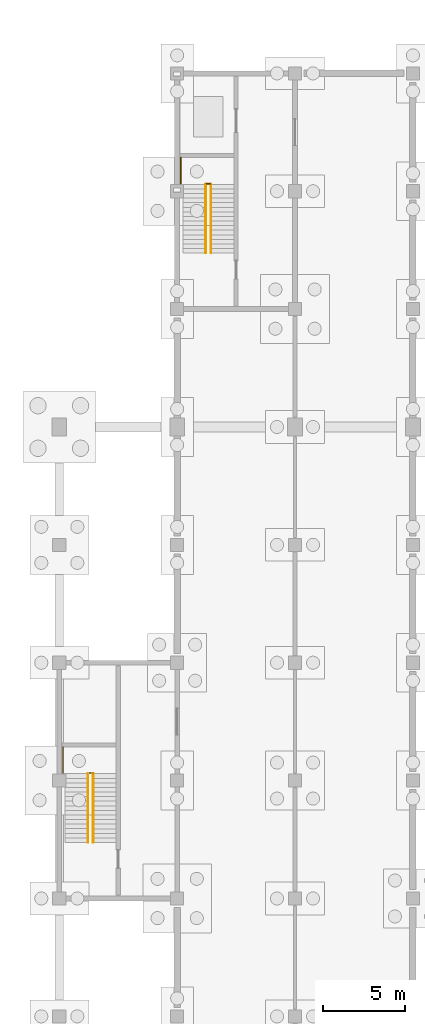
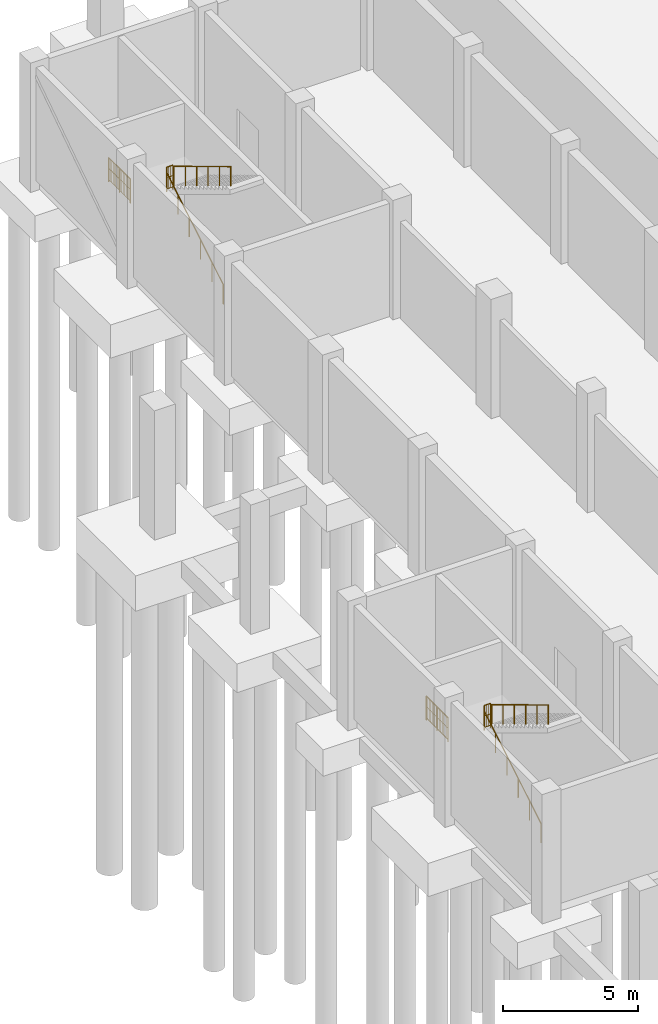
# One storey, part 31 of 35: 8 railings.
"""IFC4 building model written with IfcOpenShell, lengths in metres."""

import ifcopenshell
import ifcopenshell.guid

model = None  # the IFC model being written
_history = None  # IfcOwnerHistory: only IFC2X3 demands one
_inside = {}  # id of a spatial element -> (the spatial element, [elements in it])
_under = {}  # id of a project, library or spatial element -> (it, [spatial elements below it])
_declared = {}  # id of a project -> (the project, [libraries it declares])
_typed = {}  # id of a type object -> (the type object, [elements of that type])
_made_of = {}  # id of a material, layer set ... -> (it, [elements and type objects made of it])


def new_model(schema):
    """Start an empty IFC model of exactly this schema.

    Asked for "IFC4X3", IfcOpenShell would pick the latest addendum, in which some entities
    have other attributes; the version numbers below select the first issue.
    IFC2X3 requires an IfcOwnerHistory on every rooted entity: one is made here for all.
    """
    global model, _history
    if schema == "IFC4X3":
        model = ifcopenshell.file(schema_version=(4, 3, 0, 0))
    else:
        model = ifcopenshell.file(schema=schema)
    _inside.clear()
    _under.clear()
    _declared.clear()
    _typed.clear()
    _made_of.clear()
    _history = None
    if model.schema == "IFC2X3":
        org = make("IfcOrganization", Name="unknown")
        user = make(
            "IfcPersonAndOrganization",
            ThePerson=make("IfcPerson", FamilyName="unknown"),
            TheOrganization=org,
        )
        app = make(
            "IfcApplication",
            ApplicationDeveloper=org,
            Version="unknown",
            ApplicationFullName="unknown",
            ApplicationIdentifier="unknown",
        )
        _history = make(
            "IfcOwnerHistory",
            OwningUser=user,
            OwningApplication=app,
            ChangeAction="ADDED",
            CreationDate=0,
        )
    return model


def make(cls, **values):
    """One entity of the class cls with the attributes given. An attribute that is None is left unset."""
    return model.create_entity(
        cls, **{name: value for name, value in values.items() if value is not None}
    )


def rooted(cls, **values):
    """An entity with a GlobalId (a new one), such as an element, a storey or a relation."""
    return make(cls, GlobalId=ifcopenshell.guid.new(), OwnerHistory=_history, **values)


def si_unit(unit_type, name, prefix=None):
    """IfcSIUnit, for example si_unit("LENGTHUNIT", "METRE", prefix="MILLI")."""
    return make("IfcSIUnit", UnitType=unit_type, Prefix=prefix, Name=name)


def assignment(units):
    """IfcUnitAssignment: the units of a project."""
    return None if units is None else make("IfcUnitAssignment", Units=units)


def point(xyz):
    """IfcCartesianPoint."""
    return None if xyz is None else make("IfcCartesianPoint", Coordinates=xyz)


def direction(xyz):
    """IfcDirection."""
    return None if xyz is None else make("IfcDirection", DirectionRatios=xyz)


def frame(location, z_axis=None, x_axis=None):
    """IfcAxis2Placement3D, a coordinate frame: its origin and axes. An axis left out is left unset."""
    return make(
        "IfcAxis2Placement3D",
        Location=point(location),
        Axis=direction(z_axis),
        RefDirection=direction(x_axis),
    )


def frame_2d(location, x_axis=None):
    """IfcAxis2Placement2D, a coordinate frame in the plane: its origin and x axis."""
    return make(
        "IfcAxis2Placement2D", Location=point(location), RefDirection=direction(x_axis)
    )


def origin():
    """The frame at (0, 0, 0) with its axes left unset."""
    return frame((0.0, 0.0, 0.0))


def origin_2d():
    """The frame at (0, 0) in the plane with its x axis left unset."""
    return frame_2d((0.0, 0.0))


def place(relative_to, where):
    """IfcLocalPlacement: puts the frame where relative to a parent placement (None: the world)."""
    return make(
        "IfcLocalPlacement", PlacementRelTo=relative_to, RelativePlacement=where
    )


def context(
    kind, dimensions, precision=None, world=None, true_north=None, identifier=None
):
    """IfcGeometricRepresentationContext, for example the 3D "Model" context."""
    return make(
        "IfcGeometricRepresentationContext",
        ContextIdentifier=identifier,
        ContextType=kind,
        CoordinateSpaceDimension=dimensions,
        Precision=precision,
        WorldCoordinateSystem=world,
        TrueNorth=true_north,
    )


def subcontext(parent, identifier, kind, view, scale=None):
    """IfcGeometricRepresentationSubContext, for example "Body" below "Model"."""
    return make(
        "IfcGeometricRepresentationSubContext",
        ContextIdentifier=identifier,
        ContextType=kind,
        ParentContext=parent,
        TargetScale=scale,
        TargetView=view,
    )


def project(units=None, contexts=None):
    """IfcProject with its units and contexts."""
    return rooted(
        "IfcProject",
        Name="project",
        RepresentationContexts=contexts,
        UnitsInContext=assignment(units),
    )


def spatial(cls, under=None, at=None, **own):
    """A site, building, storey or space (cls), placed at a placement, below another one or the project."""
    s = rooted(cls, ObjectPlacement=at, **own)
    if under is not None:
        _under.setdefault(under.id(), (under, []))[1].append(s)
    return s


def profile(cls, at=None, kind="AREA", **sizes):
    """A parametric profile (cls). Its sizes go by their IFC names, for example OverallWidth=200.0."""
    return make(cls, ProfileType=kind, Position=at, **sizes)


def circle(**sizes):
    """IfcCircleProfileDef."""
    return profile("IfcCircleProfileDef", **sizes)


def extrude(swept, where, along, depth):
    """IfcExtrudedAreaSolid: the profile swept, set in the frame where, extruded along a direction by depth."""
    return make(
        "IfcExtrudedAreaSolid",
        SweptArea=swept,
        Position=where,
        ExtrudedDirection=direction(along),
        Depth=depth,
    )


def shape(context_of_items, identifier, shape_type, items):
    """IfcShapeRepresentation: the items that make up one representation, for example the "Body"."""
    return make(
        "IfcShapeRepresentation",
        ContextOfItems=context_of_items,
        RepresentationIdentifier=identifier,
        RepresentationType=shape_type,
        Items=items,
    )


def material(Name=None, Category=None):
    """IfcMaterial."""
    return make("IfcMaterial", Name=Name, Category=Category)


def made_of(thing, what):
    """Note that an element or type object is made of a material, layer set ...; save() writes the relation."""
    if what is not None:
        _made_of.setdefault(what.id(), (what, []))[1].append(thing)
    return thing


def type_object(cls, material=None, **own):
    """A type object (cls), such as IfcWallType, which elements share."""
    return made_of(rooted(cls, **own), material)


def element(
    cls,
    number,
    at=None,
    inside=None,
    cuts=None,
    type_object=None,
    material=None,
    context=None,
    identifier="Body",
    shape_type=None,
    held_by="IfcProductDefinitionShape",
    body=None,
    shapes=None,
    **own,
):
    """One element of the class cls, such as IfcWall. Its Tag is "e" and its number.

    at: its placement. inside: the storey or other place that contains it. cuts: it is an
    opening in that element (IfcRelVoidsElement). A single representation is given by context,
    identifier, shape_type and body (its items); several are given by shapes. held_by: the class
    of the entity that holds the representations. save() writes the other relations.
    """
    e = rooted(cls, Tag="e%d" % number, ObjectPlacement=at, **own)
    if body is not None:
        shapes = [shape(context, identifier, shape_type, body)]
    if shapes is not None:
        e.Representation = make(held_by, Representations=shapes)
    if inside is not None:
        _inside.setdefault(inside.id(), (inside, []))[1].append(e)
    if cuts is not None:
        rooted(
            "IfcRelVoidsElement", RelatingBuildingElement=cuts, RelatedOpeningElement=e
        )
    if type_object is not None:
        _typed.setdefault(type_object.id(), (type_object, []))[1].append(e)
    return made_of(e, material)


def aggregate(whole, parts):
    """IfcRelAggregates: a whole, such as a stair, and the parts it consists of."""
    return rooted("IfcRelAggregates", RelatingObject=whole, RelatedObjects=parts)


def save(model, path):
    """Write the relations noted so far, then the file.

    IfcRelAggregates (storeys below a building ...), IfcRelContainedInSpatialStructure (elements
    in a storey), IfcRelDefinesByType, IfcRelAssociatesMaterial and IfcRelDeclares: one each for
    every whole, place, type object, material and project.
    """
    for whole, parts in _under.values():
        aggregate(whole, parts)
    for where, things in _inside.values():
        rooted(
            "IfcRelContainedInSpatialStructure",
            RelatedElements=things,
            RelatingStructure=where,
        )
    for kind, things in _typed.values():
        rooted("IfcRelDefinesByType", RelatedObjects=things, RelatingType=kind)
    for what, things in _made_of.values():
        rooted("IfcRelAssociatesMaterial", RelatedObjects=things, RelatingMaterial=what)
    for by, libraries in _declared.values():
        rooted("IfcRelDeclares", RelatingContext=by, RelatedDefinitions=libraries)
    model.write(path)


model = new_model("IFC4")

# Units and contexts
model_context = context("Model", 3, precision=1e-05, world=origin(), true_north=direction((0.0, 1.0)))
body_context = subcontext(model_context, "Body", "Model", "MODEL_VIEW")
ifc_project = project(units=[si_unit("LENGTHUNIT", "METRE"), si_unit("AREAUNIT", "SQUARE_METRE"), si_unit("VOLUMEUNIT", "CUBIC_METRE"), si_unit("PLANEANGLEUNIT", "RADIAN"), si_unit("MASSUNIT", "GRAM", prefix="KILO")], contexts=[model_context])

# Site, building, storey
site_placement = place(None, origin())
site = spatial("IfcSite", under=ifc_project, at=site_placement, CompositionType="ELEMENT")
building_placement = place(site_placement, origin())
building = spatial("IfcBuilding", under=site, at=building_placement, Name="Vesperath Aquatics Centre", CompositionType="ELEMENT")
storey_placement = place(building_placement, frame((0.0, 0.0, -5.39990234375)))
storey = spatial("IfcBuildingStorey", under=building, at=storey_placement, Name="B1", CompositionType="ELEMENT", Elevation=-5.39990234375)

# Railings
ifc_material_1 = material(Name="Powder-coated galvanized steel safety guard", Category="steel")
railing_type_1 = type_object("IfcRailingType", Name="RL-GRD01", PredefinedType="GUARDRAIL", material=ifc_material_1)
railing_1_placement = place(storey_placement, frame((1.780029296875, 65.260009765625, 2.699951171875)))
element("IfcRailing", 1, at=railing_1_placement, inside=storey, type_object=railing_type_1, Name="Stair ST2 Half-Landing Slot Guard GR02 B1", PredefinedType="GUARDRAIL", context=body_context, shape_type="SweptSolid", body=[
    extrude(circle(Radius=0.02392578125, at=origin_2d()), frame((0.0, 0.0, 1.0859375), z_axis=(1.0, 0.0, 0.0), x_axis=(0.0, 1.0, 0.0)), (0.0, 0.0, 1.0), 0.260009765625),
    extrude(circle(Radius=0.01611328125, at=origin_2d()), frame((0.0, 0.0, 0.10009765625), z_axis=(1.0, 0.0, 0.0), x_axis=(0.0, 1.0, 0.0)), (0.0, 0.0, 1.0), 0.260009765625),
    extrude(circle(Radius=0.01611328125, at=origin_2d()), frame((0.0, 0.0, 0.610595703125), z_axis=(1.0, 0.0, 0.0), x_axis=(0.0, 1.0, 0.0)), (0.0, 0.0, 1.0), 0.260009765625),
    extrude(circle(Radius=0.009033203125, at=origin_2d()), frame((0.086669921875, 0.0, 0.10009765625)), (0.0, 0.0, 1.0), 0.9619140625),
    extrude(circle(Radius=0.009033203125, at=origin_2d()), frame((0.17333984375, 0.0, 0.10009765625)), (0.0, 0.0, 1.0), 0.9619140625),
    extrude(circle(Radius=0.02197265625, at=origin_2d()), origin(), (0.0, 0.0, 1.0), 1.0859375),
    extrude(circle(Radius=0.02197265625, at=origin_2d()), frame((0.260009765625, 0.0, 0.0)), (0.0, 0.0, 1.0), 1.0859375),
])
railing_2_placement = place(storey_placement, frame((0.219970703125, 65.260009765625, 2.699951171875)))
element("IfcRailing", 2, at=railing_2_placement, inside=storey, type_object=railing_type_1, Name="Stair ST2 Half-Landing Wall Guard GR02 B1", PredefinedType="GUARDRAIL", context=body_context, shape_type="SweptSolid", body=[
    extrude(circle(Radius=0.02392578125, at=origin_2d()), frame((0.0, 0.0, 1.0859375), z_axis=(0.0, 1.0, 0.0), x_axis=(-1.0, 0.0, 0.0)), (0.0, 0.0, 1.0), 1.60009765625),
    extrude(circle(Radius=0.01611328125, at=origin_2d()), frame((0.0, 0.0, 0.10009765625), z_axis=(0.0, 1.0, 0.0), x_axis=(-1.0, 0.0, 0.0)), (0.0, 0.0, 1.0), 1.60009765625),
    extrude(circle(Radius=0.01611328125, at=origin_2d()), frame((0.0, 0.0, 0.610595703125), z_axis=(0.0, 1.0, 0.0), x_axis=(-1.0, 0.0, 0.0)), (0.0, 0.0, 1.0), 1.60009765625),
    extrude(circle(Radius=0.009033203125, at=origin_2d()), frame((0.0, 0.106689453125, 0.10009765625)), (0.0, 0.0, 1.0), 0.9619140625),
    extrude(circle(Radius=0.009033203125, at=origin_2d()), frame((0.0, 0.21337890625, 0.10009765625)), (0.0, 0.0, 1.0), 0.9619140625),
    extrude(circle(Radius=0.009033203125, at=origin_2d()), frame((0.0, 0.320068359375, 0.10009765625)), (0.0, 0.0, 1.0), 0.9619140625),
    extrude(circle(Radius=0.009033203125, at=origin_2d()), frame((0.0, 0.4267578125, 0.10009765625)), (0.0, 0.0, 1.0), 0.9619140625),
    extrude(circle(Radius=0.009033203125, at=origin_2d()), frame((0.0, 0.533447265625, 0.10009765625)), (0.0, 0.0, 1.0), 0.9619140625),
    extrude(circle(Radius=0.009033203125, at=origin_2d()), frame((0.0, 0.64013671875, 0.10009765625)), (0.0, 0.0, 1.0), 0.9619140625),
    extrude(circle(Radius=0.009033203125, at=origin_2d()), frame((0.0, 0.746826171875, 0.10009765625)), (0.0, 0.0, 1.0), 0.9619140625),
    extrude(circle(Radius=0.009033203125, at=origin_2d()), frame((0.0, 0.853271484375, 0.10009765625)), (0.0, 0.0, 1.0), 0.9619140625),
    extrude(circle(Radius=0.009033203125, at=origin_2d()), frame((0.0, 0.9599609375, 0.10009765625)), (0.0, 0.0, 1.0), 0.9619140625),
    extrude(circle(Radius=0.009033203125, at=origin_2d()), frame((0.0, 1.066650390625, 0.10009765625)), (0.0, 0.0, 1.0), 0.9619140625),
    extrude(circle(Radius=0.009033203125, at=origin_2d()), frame((0.0, 1.17333984375, 0.10009765625)), (0.0, 0.0, 1.0), 0.9619140625),
    extrude(circle(Radius=0.009033203125, at=origin_2d()), frame((0.0, 1.280029296875, 0.10009765625)), (0.0, 0.0, 1.0), 0.9619140625),
    extrude(circle(Radius=0.009033203125, at=origin_2d()), frame((0.0, 1.38671875, 0.10009765625)), (0.0, 0.0, 1.0), 0.9619140625),
    extrude(circle(Radius=0.009033203125, at=origin_2d()), frame((0.0, 1.493408203125, 0.10009765625)), (0.0, 0.0, 1.0), 0.9619140625),
    extrude(circle(Radius=0.02197265625, at=origin_2d()), origin(), (0.0, 0.0, 1.0), 1.0859375),
    extrude(circle(Radius=0.02197265625, at=origin_2d()), frame((0.0, 0.800048828125, 0.0)), (0.0, 0.0, 1.0), 1.0859375),
    extrude(circle(Radius=0.02197265625, at=origin_2d()), frame((0.0, 1.60009765625, 0.0)), (0.0, 0.0, 1.0), 1.0859375),
])
railing_3_placement = place(storey_placement, frame((8.97998046875, 101.260009765625, 2.699951171875)))
element("IfcRailing", 3, at=railing_3_placement, inside=storey, type_object=railing_type_1, Name="Stair ST3 Half-Landing Slot Guard GR02 B1", PredefinedType="GUARDRAIL", context=body_context, shape_type="SweptSolid", body=[
    extrude(circle(Radius=0.02392578125, at=origin_2d()), frame((0.0, 0.0, 1.0859375), z_axis=(1.0, 0.0, 0.0), x_axis=(0.0, 1.0, 0.0)), (0.0, 0.0, 1.0), 0.260009765625),
    extrude(circle(Radius=0.01611328125, at=origin_2d()), frame((0.0, 0.0, 0.10009765625), z_axis=(1.0, 0.0, 0.0), x_axis=(0.0, 1.0, 0.0)), (0.0, 0.0, 1.0), 0.260009765625),
    extrude(circle(Radius=0.01611328125, at=origin_2d()), frame((0.0, 0.0, 0.610595703125), z_axis=(1.0, 0.0, 0.0), x_axis=(0.0, 1.0, 0.0)), (0.0, 0.0, 1.0), 0.260009765625),
    extrude(circle(Radius=0.009033203125, at=origin_2d()), frame((0.086669921875, 0.0, 0.10009765625)), (0.0, 0.0, 1.0), 0.9619140625),
    extrude(circle(Radius=0.009033203125, at=origin_2d()), frame((0.17333984375, 0.0, 0.10009765625)), (0.0, 0.0, 1.0), 0.9619140625),
    extrude(circle(Radius=0.02197265625, at=origin_2d()), origin(), (0.0, 0.0, 1.0), 1.0859375),
    extrude(circle(Radius=0.02197265625, at=origin_2d()), frame((0.260009765625, 0.0, 0.0)), (0.0, 0.0, 1.0), 1.0859375),
])
railing_4_placement = place(storey_placement, frame((7.419921875, 101.260009765625, 2.699951171875)))
element("IfcRailing", 4, at=railing_4_placement, inside=storey, type_object=railing_type_1, Name="Stair ST3 Half-Landing Wall Guard GR02 B1", PredefinedType="GUARDRAIL", context=body_context, shape_type="SweptSolid", body=[
    extrude(circle(Radius=0.02392578125, at=origin_2d()), frame((0.0, 0.0, 1.0859375), z_axis=(0.0, 1.0, 0.0), x_axis=(-1.0, 0.0, 0.0)), (0.0, 0.0, 1.0), 1.60009765625),
    extrude(circle(Radius=0.01611328125, at=origin_2d()), frame((0.0, 0.0, 0.10009765625), z_axis=(0.0, 1.0, 0.0), x_axis=(-1.0, 0.0, 0.0)), (0.0, 0.0, 1.0), 1.60009765625),
    extrude(circle(Radius=0.01611328125, at=origin_2d()), frame((0.0, 0.0, 0.610595703125), z_axis=(0.0, 1.0, 0.0), x_axis=(-1.0, 0.0, 0.0)), (0.0, 0.0, 1.0), 1.60009765625),
    extrude(circle(Radius=0.009033203125, at=origin_2d()), frame((0.0, 0.106689453125, 0.10009765625)), (0.0, 0.0, 1.0), 0.9619140625),
    extrude(circle(Radius=0.009033203125, at=origin_2d()), frame((0.0, 0.21337890625, 0.10009765625)), (0.0, 0.0, 1.0), 0.9619140625),
    extrude(circle(Radius=0.009033203125, at=origin_2d()), frame((0.0, 0.320068359375, 0.10009765625)), (0.0, 0.0, 1.0), 0.9619140625),
    extrude(circle(Radius=0.009033203125, at=origin_2d()), frame((0.0, 0.4267578125, 0.10009765625)), (0.0, 0.0, 1.0), 0.9619140625),
    extrude(circle(Radius=0.009033203125, at=origin_2d()), frame((0.0, 0.533447265625, 0.10009765625)), (0.0, 0.0, 1.0), 0.9619140625),
    extrude(circle(Radius=0.009033203125, at=origin_2d()), frame((0.0, 0.64013671875, 0.10009765625)), (0.0, 0.0, 1.0), 0.9619140625),
    extrude(circle(Radius=0.009033203125, at=origin_2d()), frame((0.0, 0.746826171875, 0.10009765625)), (0.0, 0.0, 1.0), 0.9619140625),
    extrude(circle(Radius=0.009033203125, at=origin_2d()), frame((0.0, 0.853271484375, 0.10009765625)), (0.0, 0.0, 1.0), 0.9619140625),
    extrude(circle(Radius=0.009033203125, at=origin_2d()), frame((0.0, 0.9599609375, 0.10009765625)), (0.0, 0.0, 1.0), 0.9619140625),
    extrude(circle(Radius=0.009033203125, at=origin_2d()), frame((0.0, 1.066650390625, 0.10009765625)), (0.0, 0.0, 1.0), 0.9619140625),
    extrude(circle(Radius=0.009033203125, at=origin_2d()), frame((0.0, 1.17333984375, 0.10009765625)), (0.0, 0.0, 1.0), 0.9619140625),
    extrude(circle(Radius=0.009033203125, at=origin_2d()), frame((0.0, 1.280029296875, 0.10009765625)), (0.0, 0.0, 1.0), 0.9619140625),
    extrude(circle(Radius=0.009033203125, at=origin_2d()), frame((0.0, 1.38671875, 0.10009765625)), (0.0, 0.0, 1.0), 0.9619140625),
    extrude(circle(Radius=0.009033203125, at=origin_2d()), frame((0.0, 1.493408203125, 0.10009765625)), (0.0, 0.0, 1.0), 0.9619140625),
    extrude(circle(Radius=0.02197265625, at=origin_2d()), origin(), (0.0, 0.0, 1.0), 1.0859375),
    extrude(circle(Radius=0.02197265625, at=origin_2d()), frame((0.0, 0.800048828125, 0.0)), (0.0, 0.0, 1.0), 1.0859375),
    extrude(circle(Radius=0.02197265625, at=origin_2d()), frame((0.0, 1.60009765625, 0.0)), (0.0, 0.0, 1.0), 1.0859375),
])
ifc_material_2 = material(Name="Brushed stainless steel tubular handrail", Category="steel")
railing_type_2 = type_object("IfcRailingType", Name="RL-HND01", PredefinedType="HANDRAIL", material=ifc_material_2)
railing_5_placement = place(storey_placement, frame((1.75, 61.02001953125, 0.168701171875)))
element("IfcRailing", 5, at=railing_5_placement, inside=storey, type_object=railing_type_2, Name="Stair ST2 Flight 1 Handrail HR01 B1", PredefinedType="HANDRAIL", context=body_context, shape_type="SweptSolid", body=[
    extrude(circle(Radius=0.02392578125, at=origin_2d()), frame((0.0, 0.0, 0.8759765625), z_axis=(0.0, 0.856476492594, 0.516186030065), x_axis=(-1.0, 0.0, 0.0)), (0.0, 0.0, 1.0), 4.90380859375),
    extrude(circle(Radius=0.02197265625, at=origin_2d()), origin(), (0.0, 0.0, 1.0), 0.8759765625),
    extrude(circle(Radius=0.02197265625, at=origin_2d()), frame((0.0, 0.840087890625, 0.50634765625)), (0.0, 0.0, 1.0), 0.8759765625),
    extrude(circle(Radius=0.02197265625, at=origin_2d()), frame((0.0, 1.679931640625, 1.012451171875)), (0.0, 0.0, 1.0), 0.8759765625),
    extrude(circle(Radius=0.02197265625, at=origin_2d()), frame((0.0, 2.52001953125, 1.518798828125)), (0.0, 0.0, 1.0), 0.8759765625),
    extrude(circle(Radius=0.02197265625, at=origin_2d()), frame((0.0, 3.35986328125, 2.02490234375)), (0.0, 0.0, 1.0), 0.8759765625),
    extrude(circle(Radius=0.02197265625, at=origin_2d()), frame((0.0, 4.199951171875, 2.53125)), (0.0, 0.0, 1.0), 0.8759765625),
])
railing_6_placement = place(storey_placement, frame((2.070068359375, 65.219970703125, 2.86865234375)))
element("IfcRailing", 6, at=railing_6_placement, inside=storey, type_object=railing_type_2, Name="Stair ST2 Flight 2 Handrail HR01 B1", PredefinedType="HANDRAIL", context=body_context, shape_type="SweptSolid", body=[
    extrude(circle(Radius=0.02392578125, at=origin_2d()), frame((0.0, 0.0, 0.8759765625), z_axis=(0.0, -0.856476492594, 0.516186030065), x_axis=(1.0, 0.0, 0.0)), (0.0, 0.0, 1.0), 4.90380859375),
    extrude(circle(Radius=0.02197265625, at=origin_2d()), origin(), (0.0, 0.0, 1.0), 0.8759765625),
    extrude(circle(Radius=0.02197265625, at=origin_2d()), frame((0.0, -0.840087890625, 0.50634765625)), (0.0, 0.0, 1.0), 0.8759765625),
    extrude(circle(Radius=0.02197265625, at=origin_2d()), frame((0.0, -1.679931640625, 1.012451171875)), (0.0, 0.0, 1.0), 0.8759765625),
    extrude(circle(Radius=0.02197265625, at=origin_2d()), frame((0.0, -2.52001953125, 1.518798828125)), (0.0, 0.0, 1.0), 0.8759765625),
    extrude(circle(Radius=0.02197265625, at=origin_2d()), frame((0.0, -3.35986328125, 2.02490234375)), (0.0, 0.0, 1.0), 0.8759765625),
    extrude(circle(Radius=0.02197265625, at=origin_2d()), frame((0.0, -4.199951171875, 2.53125)), (0.0, 0.0, 1.0), 0.8759765625),
])
railing_7_placement = place(storey_placement, frame((8.949951171875, 97.02001953125, 0.168701171875)))
element("IfcRailing", 7, at=railing_7_placement, inside=storey, type_object=railing_type_2, Name="Stair ST3 Flight 1 Handrail HR01 B1", PredefinedType="HANDRAIL", context=body_context, shape_type="SweptSolid", body=[
    extrude(circle(Radius=0.02392578125, at=origin_2d()), frame((0.0, 0.0, 0.8759765625), z_axis=(0.0, 0.856476492594, 0.516186030065), x_axis=(-1.0, 0.0, 0.0)), (0.0, 0.0, 1.0), 4.90380859375),
    extrude(circle(Radius=0.02197265625, at=origin_2d()), origin(), (0.0, 0.0, 1.0), 0.8759765625),
    extrude(circle(Radius=0.02197265625, at=origin_2d()), frame((0.0, 0.840087890625, 0.50634765625)), (0.0, 0.0, 1.0), 0.8759765625),
    extrude(circle(Radius=0.02197265625, at=origin_2d()), frame((0.0, 1.679931640625, 1.012451171875)), (0.0, 0.0, 1.0), 0.8759765625),
    extrude(circle(Radius=0.02197265625, at=origin_2d()), frame((0.0, 2.52001953125, 1.518798828125)), (0.0, 0.0, 1.0), 0.8759765625),
    extrude(circle(Radius=0.02197265625, at=origin_2d()), frame((0.0, 3.35986328125, 2.02490234375)), (0.0, 0.0, 1.0), 0.8759765625),
    extrude(circle(Radius=0.02197265625, at=origin_2d()), frame((0.0, 4.199951171875, 2.53125)), (0.0, 0.0, 1.0), 0.8759765625),
])
railing_8_placement = place(storey_placement, frame((9.27001953125, 101.219970703125, 2.86865234375)))
element("IfcRailing", 8, at=railing_8_placement, inside=storey, type_object=railing_type_2, Name="Stair ST3 Flight 2 Handrail HR01 B1", PredefinedType="HANDRAIL", context=body_context, shape_type="SweptSolid", body=[
    extrude(circle(Radius=0.02392578125, at=origin_2d()), frame((0.0, 0.0, 0.8759765625), z_axis=(0.0, -0.856476492594, 0.516186030065), x_axis=(1.0, 0.0, 0.0)), (0.0, 0.0, 1.0), 4.90380859375),
    extrude(circle(Radius=0.02197265625, at=origin_2d()), origin(), (0.0, 0.0, 1.0), 0.8759765625),
    extrude(circle(Radius=0.02197265625, at=origin_2d()), frame((0.0, -0.840087890625, 0.50634765625)), (0.0, 0.0, 1.0), 0.8759765625),
    extrude(circle(Radius=0.02197265625, at=origin_2d()), frame((0.0, -1.679931640625, 1.012451171875)), (0.0, 0.0, 1.0), 0.8759765625),
    extrude(circle(Radius=0.02197265625, at=origin_2d()), frame((0.0, -2.52001953125, 1.518798828125)), (0.0, 0.0, 1.0), 0.8759765625),
    extrude(circle(Radius=0.02197265625, at=origin_2d()), frame((0.0, -3.35986328125, 2.02490234375)), (0.0, 0.0, 1.0), 0.8759765625),
    extrude(circle(Radius=0.02197265625, at=origin_2d()), frame((0.0, -4.199951171875, 2.53125)), (0.0, 0.0, 1.0), 0.8759765625),
])

save(model, "model.ifc")
